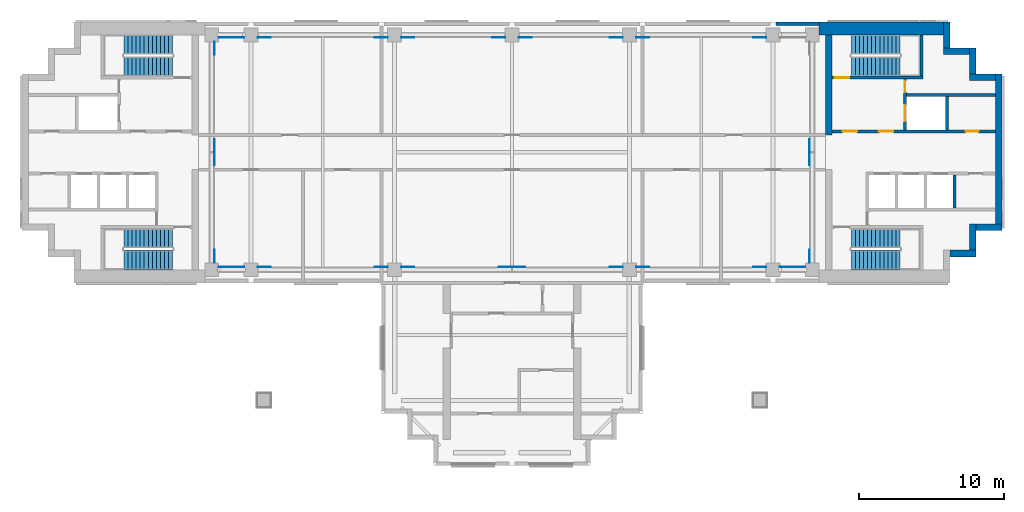
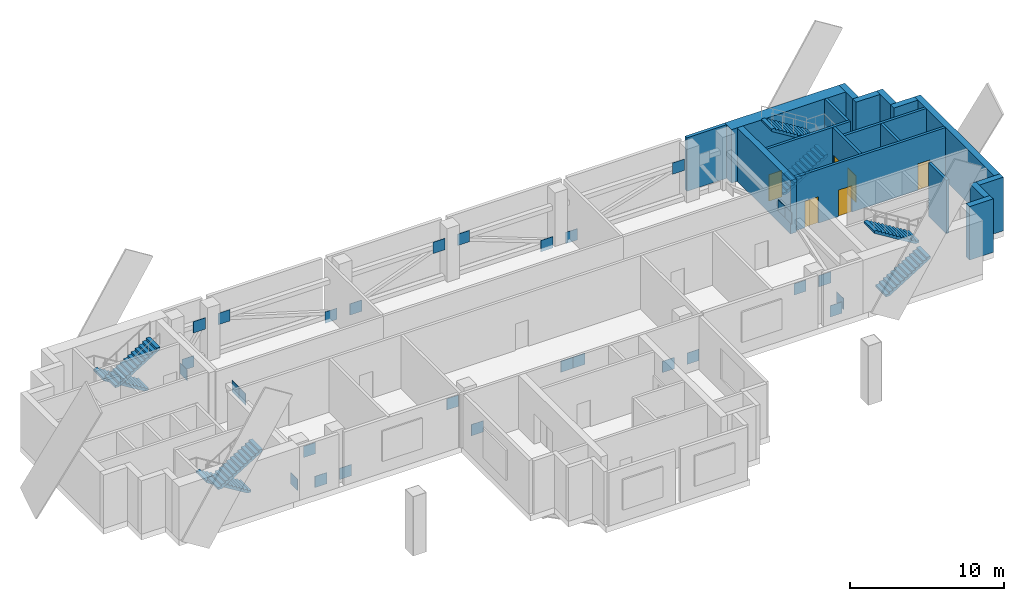
# One storey, part 5 of 8: 29 discrete accessories, 18 walls, 8 stair flights, 6 doors, 6 openings, 4 elements without a shape of their own.
"""IFC4 building model written with IfcOpenShell, lengths in metres."""

from ifc_helpers import new_model, si_unit, direction, frame, frame_2d, origin, origin_2d, place, context, subcontext, project, spatial, polyline, rectangle, outline, extrude, material, layer, layer_set, type_object, element, fill, aggregate, save


model = new_model("IFC4")

# Units and contexts
model_context = context("Model", 3, precision=1e-05, world=origin(), true_north=direction((0.0, 1.0)))
body_context = subcontext(model_context, "Body", "Model", "MODEL_VIEW")
ifc_project = project(units=[si_unit("LENGTHUNIT", "METRE"), si_unit("AREAUNIT", "SQUARE_METRE"), si_unit("VOLUMEUNIT", "CUBIC_METRE"), si_unit("PLANEANGLEUNIT", "RADIAN"), si_unit("MASSUNIT", "GRAM", prefix="KILO")], contexts=[model_context])

# Site, building, storey
site_placement = place(None, origin())
site = spatial("IfcSite", under=ifc_project, at=site_placement, CompositionType="ELEMENT")
building_placement = place(site_placement, origin())
building = spatial("IfcBuilding", under=site, at=building_placement, Name="Perihelion Cross Residences", CompositionType="ELEMENT")
storey_placement = place(building_placement, frame((0.0, 0.0, 228.0)))
storey = spatial("IfcBuildingStorey", under=building, at=storey_placement, Name="L57", CompositionType="ELEMENT", Elevation=228.0)

# Walls
ifc_material_1 = material(Name="Concrete C60/75", Category="concrete")
ifc_layer_1 = layer(ifc_material_1, 0.449951171875)
ifc_layer_set_1 = layer_set([ifc_layer_1], Name="Core wall, inner 450")
wall_type_1 = type_object("IfcWallType", Name="Core wall, inner 450", PredefinedType="SHEAR", material=ifc_layer_set_1)
wall_1_placement = place(storey_placement, frame((21.824951171875, 1.199951171875, 0.0), z_axis=(0.0, 0.0, 1.0), x_axis=(0.0, 1.0, 0.0)))
element("IfcWall", 1, at=wall_1_placement, inside=storey, type_object=wall_type_1, Name="East core core wall, inner", PredefinedType="SHEAR", context=body_context, shape_type="SweptSolid", body=[
    extrude(rectangle(XDim=6.900146484375, YDim=0.449951171875, at=frame_2d((3.4501953125, 0.0))), origin(), (0.0, 0.0, 1.0), 4.25),
])
ifc_material_2 = material(Name="Concrete C60/75", Category="concrete")
ifc_layer_2 = layer(ifc_material_2, 0.449951171875)
ifc_layer_set_2 = layer_set([ifc_layer_2], Name="Core wall, outer 450")
wall_type_2 = type_object("IfcWallType", Name="Core wall, outer 450", PredefinedType="SHEAR", material=ifc_layer_set_2)
for number, where, z_axis, x_axis, name in (
    (2, (30.199951171875, -6.97509765625, 0.0), (0.0, 0.0, 1.0), (1.0, 0.0, 0.0), "East core core wall, outer"),
    (3, (31.77490234375, -6.75, 0.0), (0.0, 0.0, 1.0), (0.0, 1.0, 0.0), "East core core wall, outer"),
    (4, (32.0, -5.175048828125, 0.0), (0.0, 0.0, 1.0), (1.0, 0.0, 0.0), "East core core wall, outer"),
):
    element("IfcWall", number, at=place(storey_placement, frame(where, z_axis=z_axis, x_axis=x_axis)), inside=storey, type_object=wall_type_2, Name=name, PredefinedType="SHEAR", context=body_context, shape_type="SweptSolid", body=[
        extrude(rectangle(XDim=1.800048828125, YDim=0.449951171875, at=frame_2d((0.89990234375, 0.0))), origin(), (0.0, 0.0, 1.0), 4.25),
    ])
wall_2_placement = place(storey_placement, frame((33.574951171875, -4.949951171875, 0.0), z_axis=(0.0, 0.0, 1.0), x_axis=(0.0, 1.0, 0.0)))
element("IfcWall", 5, at=wall_2_placement, inside=storey, type_object=wall_type_2, Name="East core core wall, outer", PredefinedType="SHEAR", context=body_context, shape_type="SweptSolid", body=[
    extrude(rectangle(XDim=10.349853515625, YDim=0.449951171875, at=frame_2d((5.1748046875, 0.0))), origin(), (0.0, 0.0, 1.0), 4.25),
])
for number, where, z_axis, x_axis, name in (
    (6, (31.550048828125, 5.175048828125, 0.0), (0.0, 0.0, 1.0), (1.0, 0.0, 0.0), "East core core wall, outer"),
    (7, (31.77490234375, 5.39990234375, 0.0), (0.0, 0.0, 1.0), (0.0, 1.0, 0.0), "East core core wall, outer"),
    (8, (29.75, 6.97509765625, 0.0), (0.0, 0.0, 1.0), (1.0, 0.0, 0.0), "East core core wall, outer"),
    (9, (29.97509765625, 7.199951171875, 0.0), (0.0, 0.0, 1.0), (0.0, 1.0, 0.0), "East core core wall, outer"),
):
    element("IfcWall", number, at=place(storey_placement, frame(where, z_axis=z_axis, x_axis=x_axis)), inside=storey, type_object=wall_type_2, Name=name, PredefinedType="SHEAR", context=body_context, shape_type="SweptSolid", body=[
        extrude(rectangle(XDim=1.800048828125, YDim=0.449951171875, at=frame_2d((0.89990234375, 0.0))), origin(), (0.0, 0.0, 1.0), 4.25),
    ])
ifc_material_3 = material(Name="Concrete C60/75", Category="concrete")
ifc_layer_3 = layer(ifc_material_3, 0.89990234375)
ifc_layer_set_3 = layer_set([ifc_layer_3], Name="Core wall, outer 900")
wall_type_3 = type_object("IfcWallType", Name="Core wall, outer 900", PredefinedType="SHEAR", material=ifc_layer_set_3)
wall_3_placement = place(storey_placement, frame((21.175048828125, 8.550048828125, 0.0), z_axis=(0.0, 0.0, 1.0), x_axis=(1.0, 0.0, 0.0)))
element("IfcWall", 10, at=wall_3_placement, inside=storey, type_object=wall_type_3, Name="East core core wall, outer", PredefinedType="SHEAR", context=body_context, shape_type="SweptSolid", body=[
    extrude(rectangle(XDim=8.574951171875, YDim=0.89990234375, at=frame_2d((4.28759765625, 0.0))), origin(), (0.0, 0.0, 1.0), 4.25),
])
ifc_material_4 = material(Name="Concrete C30/37, bronze-clad", Category="concrete")
ifc_layer_4 = layer(ifc_material_4, 0.25)
ifc_layer_set_4 = layer_set([ifc_layer_4], Name="Louvre bay wall 250")
wall_type_4 = type_object("IfcWallType", Name="Louvre bay wall 250", PredefinedType="SOLIDWALL", material=ifc_layer_set_4)
wall_4_placement = place(storey_placement, frame((21.175048828125, 8.875, 0.0), z_axis=(0.0, 0.0, 1.0), x_axis=(-1.0, 0.0, 0.0)))
element("IfcWall", 11, at=wall_4_placement, inside=storey, type_object=wall_type_4, Name="Wall FW2 L57 east side north bay 1 louvre", PredefinedType="SOLIDWALL", context=body_context, shape_type="SweptSolid", body=[
    extrude(rectangle(XDim=2.97509765625, YDim=0.25, at=frame_2d((1.487548828125, 0.0))), origin(), (0.0, 0.0, 1.0), 4.25),
])

# Wall, openings, doors
ifc_material_5 = material(Name="Concrete C50/60", Category="concrete")
ifc_layer_5 = layer(ifc_material_5, 0.199951171875)
ifc_layer_set_5 = layer_set([ifc_layer_5], Name="Shaft wall 200")
wall_type_5 = type_object("IfcWallType", Name="Shaft wall 200", PredefinedType="SOLIDWALL", material=ifc_layer_set_5)
wall_5_placement = place(storey_placement, frame((22.050048828125, 1.449951171875, 0.0), z_axis=(0.0, 0.0, 1.0), x_axis=(1.0, 0.0, 0.0)))
wall_5 = element("IfcWall", 12, at=wall_5_placement, inside=storey, type_object=wall_type_5, Name="East core shaft wall", PredefinedType="SOLIDWALL", context=body_context, shape_type="SweptSolid", body=[
    extrude(rectangle(XDim=11.300048828125, YDim=0.199951171875, at=frame_2d((5.64990234375, 0.0))), origin(), (0.0, 0.0, 1.0), 4.25),
])
opening_1_placement = place(wall_5_placement, frame((0.75, 0.0, 0.0)))
opening_1 = element("IfcOpeningElement", 13, at=opening_1_placement, cuts=wall_5, Name="Opening L57.C07", PredefinedType="OPENING", context=body_context, shape_type="SweptSolid", body=[
    extrude(rectangle(XDim=1.0, YDim=2.10009765625, at=frame_2d((0.5, 1.050048828125))), frame((0.0, 0.10986328125, 0.0), z_axis=(0.0, -1.0, 0.0), x_axis=(1.0, 0.0, 0.0)), (0.0, 0.0, 1.0), 0.219970703125),
])
opening_2_placement = place(wall_5_placement, frame((3.25, 0.0, 0.0)))
opening_2 = element("IfcOpeningElement", 14, at=opening_2_placement, cuts=wall_5, Name="Opening L57.C09", PredefinedType="OPENING", context=body_context, shape_type="SweptSolid", body=[
    extrude(rectangle(XDim=1.0, YDim=2.10009765625, at=frame_2d((0.5, 1.050048828125))), frame((0.0, 0.10986328125, 0.0), z_axis=(0.0, -1.0, 0.0), x_axis=(1.0, 0.0, 0.0)), (0.0, 0.0, 1.0), 0.219970703125),
])
opening_3_placement = place(wall_5_placement, frame((9.22509765625, 0.0, 0.0)))
opening_3 = element("IfcOpeningElement", 15, at=opening_3_placement, cuts=wall_5, Name="Opening L57.C11", PredefinedType="OPENING", context=body_context, shape_type="SweptSolid", body=[
    extrude(rectangle(XDim=0.89990234375, YDim=2.10009765625, at=frame_2d((0.449951171875, 1.050048828125))), frame((0.0, 0.10986328125, 0.0), z_axis=(0.0, -1.0, 0.0), x_axis=(1.0, 0.0, 0.0)), (0.0, 0.0, 1.0), 0.219970703125),
])
ifc_material_6 = material(Name="Steel, powder coated", Category="steel")
door_type_1 = type_object("IfcDoorType", Name="Lobby door 1000", OperationType="SINGLE_SWING_LEFT", PredefinedType="DOOR", material=ifc_material_6)
door_1_placement = place(opening_1_placement, origin())
door_1 = element("IfcDoor", 16, at=door_1_placement, inside=storey, type_object=door_type_1, Name="East core firefighting lobby door", OperationType="SINGLE_SWING_LEFT", OverallHeight=2.10009765625, OverallWidth=1.0, PredefinedType="DOOR", context=body_context, shape_type="SweptSolid", body=[
    extrude(rectangle(XDim=1.0, YDim=2.10009765625, at=frame_2d((0.5, 1.050048828125))), frame((0.0, 0.02490234375, 0.0), z_axis=(0.0, -1.0, 0.0), x_axis=(1.0, 0.0, 0.0)), (0.0, 0.0, 1.0), 0.050048828125),
])
fill(opening_1, door_1)
door_2_placement = place(opening_2_placement, origin())
door_2 = element("IfcDoor", 17, at=door_2_placement, inside=storey, type_object=door_type_1, Name="East core firefighting lobby door", OperationType="SINGLE_SWING_LEFT", OverallHeight=2.10009765625, OverallWidth=1.0, PredefinedType="DOOR", context=body_context, shape_type="SweptSolid", body=[
    extrude(rectangle(XDim=1.0, YDim=2.10009765625, at=frame_2d((0.5, 1.050048828125))), frame((0.0, 0.02490234375, 0.0), z_axis=(0.0, -1.0, 0.0), x_axis=(1.0, 0.0, 0.0)), (0.0, 0.0, 1.0), 0.050048828125),
])
fill(opening_2, door_2)
ifc_material_7 = material(Name="Steel, powder coated", Category="steel")
door_type_2 = type_object("IfcDoorType", Name="Service room door 900", OperationType="SINGLE_SWING_LEFT", PredefinedType="DOOR", material=ifc_material_7)
door_3_placement = place(opening_3_placement, origin())
door_3 = element("IfcDoor", 18, at=door_3_placement, inside=storey, type_object=door_type_2, Name="East core service room door", OperationType="SINGLE_SWING_LEFT", OverallHeight=2.10009765625, OverallWidth=0.89990234375, PredefinedType="DOOR", context=body_context, shape_type="SweptSolid", body=[
    extrude(rectangle(XDim=0.89990234375, YDim=2.10009765625, at=frame_2d((0.449951171875, 1.050048828125))), frame((0.0, 0.02490234375, 0.0), z_axis=(0.0, -1.0, 0.0), x_axis=(1.0, 0.0, 0.0)), (0.0, 0.0, 1.0), 0.050048828125),
])
fill(opening_3, door_3)

# Wall
wall_6_placement = place(storey_placement, frame((27.199951171875, 3.949951171875, 0.0), z_axis=(0.0, 0.0, 1.0), x_axis=(1.0, 0.0, 0.0)))
element("IfcWall", 19, at=wall_6_placement, inside=storey, type_object=wall_type_5, Name="East core shaft wall", PredefinedType="SOLIDWALL", context=body_context, shape_type="SweptSolid", body=[
    extrude(rectangle(XDim=6.150146484375, YDim=0.199951171875, at=frame_2d((3.0751953125, 0.0))), origin(), (0.0, 0.0, 1.0), 4.25),
])

# Wall, openings, doors
wall_7_placement = place(storey_placement, frame((27.10009765625, 1.550048828125, 0.0), z_axis=(0.0, 0.0, 1.0), x_axis=(0.0, 1.0, 0.0)))
wall_7 = element("IfcWall", 20, at=wall_7_placement, inside=storey, type_object=wall_type_5, Name="East core shaft wall", PredefinedType="SOLIDWALL", context=body_context, shape_type="SweptSolid", body=[
    extrude(rectangle(XDim=3.5, YDim=0.199951171875, at=frame_2d((1.75, 0.0))), origin(), (0.0, 0.0, 1.0), 4.25),
])
opening_4_placement = place(wall_7_placement, frame((0.60009765625, 0.0, 0.0)))
opening_4 = element("IfcOpeningElement", 21, at=opening_4_placement, cuts=wall_7, Name="Opening L57.C02", PredefinedType="OPENING", context=body_context, shape_type="SweptSolid", body=[
    extrude(rectangle(XDim=1.10009765625, YDim=2.10009765625, at=frame_2d((0.550048828125, 1.050048828125))), frame((0.0, 0.10986328125, 0.0), z_axis=(0.0, -1.0, 0.0), x_axis=(1.0, 0.0, 0.0)), (0.0, 0.0, 1.0), 0.219970703125),
])
opening_5_placement = place(wall_7_placement, frame((2.60009765625, 0.0, 0.0)))
opening_5 = element("IfcOpeningElement", 22, at=opening_5_placement, cuts=wall_7, Name="Opening L57.C10", PredefinedType="OPENING", context=body_context, shape_type="SweptSolid", body=[
    extrude(rectangle(XDim=0.800048828125, YDim=2.10009765625, at=frame_2d((0.39990234375, 1.050048828125))), frame((0.0, 0.10986328125, 0.0), z_axis=(0.0, -1.0, 0.0), x_axis=(1.0, 0.0, 0.0)), (0.0, 0.0, 1.0), 0.219970703125),
])
ifc_material_8 = material(Name="Stainless steel", Category="steel")
door_type_3 = type_object("IfcDoorType", Name="Landing door, firefighting lift 1100", OperationType="DOUBLE_DOOR_SLIDING", PredefinedType="DOOR", material=ifc_material_8)
door_4_placement = place(opening_4_placement, origin())
door_4 = element("IfcDoor", 23, at=door_4_placement, inside=storey, type_object=door_type_3, Name="Landing door, East core firefighting and service lift", OperationType="DOUBLE_DOOR_SLIDING", OverallHeight=2.10009765625, OverallWidth=1.10009765625, PredefinedType="DOOR", context=body_context, shape_type="SweptSolid", body=[
    extrude(rectangle(XDim=1.10009765625, YDim=2.10009765625, at=frame_2d((0.550048828125, 1.050048828125))), frame((0.0, 0.02490234375, 0.0), z_axis=(0.0, -1.0, 0.0), x_axis=(1.0, 0.0, 0.0)), (0.0, 0.0, 1.0), 0.050048828125),
])
fill(opening_4, door_4)
ifc_material_9 = material(Name="Steel, powder coated", Category="steel")
door_type_4 = type_object("IfcDoorType", Name="Riser door 800", OperationType="SINGLE_SWING_LEFT", PredefinedType="DOOR", material=ifc_material_9)
door_5_placement = place(opening_5_placement, origin())
door_5 = element("IfcDoor", 24, at=door_5_placement, inside=storey, type_object=door_type_4, Name="East core riser door", OperationType="SINGLE_SWING_LEFT", OverallHeight=2.10009765625, OverallWidth=0.800048828125, PredefinedType="DOOR", context=body_context, shape_type="SweptSolid", body=[
    extrude(rectangle(XDim=0.800048828125, YDim=2.10009765625, at=frame_2d((0.39990234375, 1.050048828125))), frame((0.0, 0.02490234375, 0.0), z_axis=(0.0, -1.0, 0.0), x_axis=(1.0, 0.0, 0.0)), (0.0, 0.0, 1.0), 0.050048828125),
])
fill(opening_5, door_5)

# Walls
for number, where, z_axis, x_axis, name in (
    (25, (30.0, 1.550048828125, 0.0), (0.0, 0.0, 1.0), (0.0, 1.0, 0.0), "East core shaft wall"),
    (26, (30.5, -3.85009765625, 0.0), (0.0, 0.0, 1.0), (0.0, 1.0, 0.0), "East core shaft wall"),
):
    element("IfcWall", number, at=place(storey_placement, frame(where, z_axis=z_axis, x_axis=x_axis)), inside=storey, type_object=wall_type_5, Name=name, PredefinedType="SOLIDWALL", context=body_context, shape_type="SweptSolid", body=[
        extrude(rectangle(XDim=2.300048828125, YDim=0.199951171875, at=frame_2d((1.14990234375, 0.0))), origin(), (0.0, 0.0, 1.0), 4.25),
    ])

# Wall, opening, door
ifc_material_10 = material(Name="Concrete C50/60", Category="concrete")
ifc_layer_6 = layer(ifc_material_10, 0.199951171875)
ifc_layer_set_6 = layer_set([ifc_layer_6], Name="Stair wall 200")
wall_type_6 = type_object("IfcWallType", Name="Stair wall 200", PredefinedType="SOLIDWALL", material=ifc_layer_set_6)
wall_8_placement = place(storey_placement, frame((22.050048828125, 5.14990234375, 0.0), z_axis=(0.0, 0.0, 1.0), x_axis=(1.0, 0.0, 0.0)))
wall_8 = element("IfcWall", 27, at=wall_8_placement, inside=storey, type_object=wall_type_6, Name="East core stair wall", PredefinedType="SOLIDWALL", context=body_context, shape_type="SweptSolid", body=[
    extrude(rectangle(XDim=6.300048828125, YDim=0.199951171875, at=frame_2d((3.14990234375, 0.0))), origin(), (0.0, 0.0, 1.0), 4.25),
])
opening_6_placement = place(wall_8_placement, frame((0.199951171875, 0.0, 0.0)))
opening_6 = element("IfcOpeningElement", 28, at=opening_6_placement, cuts=wall_8, Name="Opening L57.C06", PredefinedType="OPENING", context=body_context, shape_type="SweptSolid", body=[
    extrude(rectangle(XDim=1.0, YDim=2.10009765625, at=frame_2d((0.5, 1.050048828125))), frame((0.0, 0.10986328125, 0.0), z_axis=(0.0, -1.0, 0.0), x_axis=(1.0, 0.0, 0.0)), (0.0, 0.0, 1.0), 0.219970703125),
])
ifc_material_11 = material(Name="Steel, powder coated", Category="steel")
door_type_5 = type_object("IfcDoorType", Name="Stair door 1000", OperationType="SINGLE_SWING_LEFT", PredefinedType="DOOR", material=ifc_material_11)
door_6_placement = place(opening_6_placement, origin())
door_6 = element("IfcDoor", 29, at=door_6_placement, inside=storey, type_object=door_type_5, Name="East core stair door", OperationType="SINGLE_SWING_LEFT", OverallHeight=2.10009765625, OverallWidth=1.0, PredefinedType="DOOR", context=body_context, shape_type="SweptSolid", body=[
    extrude(rectangle(XDim=1.0, YDim=2.10009765625, at=frame_2d((0.5, 1.050048828125))), frame((0.0, 0.02490234375, 0.0), z_axis=(0.0, -1.0, 0.0), x_axis=(1.0, 0.0, 0.0)), (0.0, 0.0, 1.0), 0.050048828125),
])
fill(opening_6, door_6)

# Wall
wall_9_placement = place(storey_placement, frame((28.25, 5.25, 0.0), z_axis=(0.0, 0.0, 1.0), x_axis=(0.0, 1.0, 0.0)))
element("IfcWall", 30, at=wall_9_placement, inside=storey, type_object=wall_type_6, Name="East core stair wall", PredefinedType="SOLIDWALL", context=body_context, shape_type="SweptSolid", body=[
    extrude(rectangle(XDim=2.85009765625, YDim=0.199951171875, at=frame_2d((1.425048828125, 0.0))), origin(), (0.0, 0.0, 1.0), 4.25),
])

# Stair, stair flights
ifc_material_12 = material(Name="Concrete C40/50", Category="concrete")
stair_type = type_object("IfcStairType", Name="Exit stair, half-turn", PredefinedType="HALF_TURN_STAIR", material=ifc_material_12)
stair_1_placement = place(storey_placement, origin())
stair_1 = element("IfcStair", 31, at=stair_1_placement, inside=storey, type_object=stair_type, Name="L57 East core exit stair 1", PredefinedType="HALF_TURN_STAIR")
ifc_material_13 = material(Name="Concrete C40/50", Category="concrete")
stair_flight_type = type_object("IfcStairFlightType", Name="Exit stair flight", PredefinedType="STRAIGHT", material=ifc_material_13)
stair_flight_1_placement = place(storey_placement, frame((23.39990234375, 5.925048828125, 0.0), z_axis=(0.0, 0.0, 1.0), x_axis=(1.0, 0.0, 0.0)))
stair_flight_1 = element("IfcStairFlight", 32, at=stair_flight_1_placement, type_object=stair_flight_type, Name="ST-E1 flight 1", NumberOfRisers=13, NumberOfTreads=12, PredefinedType="STRAIGHT", RiserHeight=0.173076923, TreadLength=0.28, context=body_context, shape_type="SweptSolid", body=[
    extrude(outline(polyline([(0.0, 0.0), (0.0, 0.173095703125), (0.280029296875, 0.173095703125), (0.280029296875, 0.34619140625), (0.56005859375, 0.34619140625), (0.56005859375, 0.519287109375), (0.840087890625, 0.519287109375), (0.840087890625, 0.6923828125), (1.1201171875, 0.6923828125), (1.1201171875, 0.865478515625), (1.39990234375, 0.865478515625), (1.39990234375, 1.03857421875), (1.679931640625, 1.03857421875), (1.679931640625, 1.21142578125), (1.9599609375, 1.21142578125), (1.9599609375, 1.384521484375), (2.239990234375, 1.384521484375), (2.239990234375, 1.5576171875), (2.52001953125, 1.5576171875), (2.52001953125, 1.730712890625), (2.800048828125, 1.730712890625), (2.800048828125, 1.90380859375), (3.080078125, 1.90380859375), (3.080078125, 2.076904296875), (3.360107421875, 2.076904296875), (3.360107421875, 2.25), (3.360107421875, 1.900634765625), (0.28515625, 0.0), (0.0, 0.0)])), frame((0.0, 0.675048828125, 0.0), z_axis=(0.0, -1.0, 0.0), x_axis=(1.0, 0.0, 0.0)), (0.0, 0.0, 1.0), 1.35009765625),
])
stair_flight_2_placement = place(storey_placement, frame((26.760009765625, 7.425048828125, 2.25), z_axis=(0.0, 0.0, 1.0), x_axis=(-1.0, 0.0, 0.0)))
stair_flight_2 = element("IfcStairFlight", 33, at=stair_flight_2_placement, type_object=stair_flight_type, Name="ST-E1 flight 2", NumberOfRisers=13, NumberOfTreads=12, PredefinedType="STRAIGHT", RiserHeight=0.173076923, TreadLength=0.28, context=body_context, shape_type="SweptSolid", body=[
    extrude(outline(polyline([(0.0, 0.0), (0.0, 0.173095703125), (0.280029296875, 0.173095703125), (0.280029296875, 0.34619140625), (0.56005859375, 0.34619140625), (0.56005859375, 0.519287109375), (0.840087890625, 0.519287109375), (0.840087890625, 0.6923828125), (1.1201171875, 0.6923828125), (1.1201171875, 0.865478515625), (1.39990234375, 0.865478515625), (1.39990234375, 1.03857421875), (1.679931640625, 1.03857421875), (1.679931640625, 1.21142578125), (1.9599609375, 1.21142578125), (1.9599609375, 1.384521484375), (2.239990234375, 1.384521484375), (2.239990234375, 1.5576171875), (2.52001953125, 1.5576171875), (2.52001953125, 1.730712890625), (2.800048828125, 1.730712890625), (2.800048828125, 1.90380859375), (3.080078125, 1.90380859375), (3.080078125, 2.076904296875), (3.360107421875, 2.076904296875), (3.360107421875, 2.25), (3.360107421875, 1.900634765625), (0.28515625, 0.0), (0.0, 0.0)])), frame((0.0, 0.675048828125, 0.0), z_axis=(0.0, -1.0, 0.0), x_axis=(1.0, 0.0, 0.0)), (0.0, 0.0, 1.0), 1.35009765625),
])
aggregate(stair_1, [stair_flight_1, stair_flight_2])

stair_2_placement = place(storey_placement, origin())
stair_2 = element("IfcStair", 34, at=stair_2_placement, inside=storey, type_object=stair_type, Name="L57 East core exit stair 2", PredefinedType="HALF_TURN_STAIR")
stair_flight_3_placement = place(storey_placement, frame((23.39990234375, -7.425048828125, 0.0), z_axis=(0.0, 0.0, 1.0), x_axis=(1.0, 0.0, 0.0)))
stair_flight_3 = element("IfcStairFlight", 35, at=stair_flight_3_placement, type_object=stair_flight_type, Name="ST-E2 flight 1", NumberOfRisers=13, NumberOfTreads=12, PredefinedType="STRAIGHT", RiserHeight=0.173076923, TreadLength=0.28, context=body_context, shape_type="SweptSolid", body=[
    extrude(outline(polyline([(0.0, 0.0), (0.0, 0.173095703125), (0.280029296875, 0.173095703125), (0.280029296875, 0.34619140625), (0.56005859375, 0.34619140625), (0.56005859375, 0.519287109375), (0.840087890625, 0.519287109375), (0.840087890625, 0.6923828125), (1.1201171875, 0.6923828125), (1.1201171875, 0.865478515625), (1.39990234375, 0.865478515625), (1.39990234375, 1.03857421875), (1.679931640625, 1.03857421875), (1.679931640625, 1.21142578125), (1.9599609375, 1.21142578125), (1.9599609375, 1.384521484375), (2.239990234375, 1.384521484375), (2.239990234375, 1.5576171875), (2.52001953125, 1.5576171875), (2.52001953125, 1.730712890625), (2.800048828125, 1.730712890625), (2.800048828125, 1.90380859375), (3.080078125, 1.90380859375), (3.080078125, 2.076904296875), (3.360107421875, 2.076904296875), (3.360107421875, 2.25), (3.360107421875, 1.900634765625), (0.28515625, 0.0), (0.0, 0.0)])), frame((0.0, 0.675048828125, 0.0), z_axis=(0.0, -1.0, 0.0), x_axis=(1.0, 0.0, 0.0)), (0.0, 0.0, 1.0), 1.35009765625),
])
stair_flight_4_placement = place(storey_placement, frame((26.760009765625, -5.925048828125, 2.25), z_axis=(0.0, 0.0, 1.0), x_axis=(-1.0, 0.0, 0.0)))
stair_flight_4 = element("IfcStairFlight", 36, at=stair_flight_4_placement, type_object=stair_flight_type, Name="ST-E2 flight 2", NumberOfRisers=13, NumberOfTreads=12, PredefinedType="STRAIGHT", RiserHeight=0.173076923, TreadLength=0.28, context=body_context, shape_type="SweptSolid", body=[
    extrude(outline(polyline([(0.0, 0.0), (0.0, 0.173095703125), (0.280029296875, 0.173095703125), (0.280029296875, 0.34619140625), (0.56005859375, 0.34619140625), (0.56005859375, 0.519287109375), (0.840087890625, 0.519287109375), (0.840087890625, 0.6923828125), (1.1201171875, 0.6923828125), (1.1201171875, 0.865478515625), (1.39990234375, 0.865478515625), (1.39990234375, 1.03857421875), (1.679931640625, 1.03857421875), (1.679931640625, 1.21142578125), (1.9599609375, 1.21142578125), (1.9599609375, 1.384521484375), (2.239990234375, 1.384521484375), (2.239990234375, 1.5576171875), (2.52001953125, 1.5576171875), (2.52001953125, 1.730712890625), (2.800048828125, 1.730712890625), (2.800048828125, 1.90380859375), (3.080078125, 1.90380859375), (3.080078125, 2.076904296875), (3.360107421875, 2.076904296875), (3.360107421875, 2.25), (3.360107421875, 1.900634765625), (0.28515625, 0.0), (0.0, 0.0)])), frame((0.0, 0.675048828125, 0.0), z_axis=(0.0, -1.0, 0.0), x_axis=(1.0, 0.0, 0.0)), (0.0, 0.0, 1.0), 1.35009765625),
])
aggregate(stair_2, [stair_flight_3, stair_flight_4])

stair_3_placement = place(storey_placement, origin())
stair_3 = element("IfcStair", 37, at=stair_3_placement, inside=storey, type_object=stair_type, Name="L57 West core exit stair 1", PredefinedType="HALF_TURN_STAIR")
stair_flight_5_placement = place(storey_placement, frame((-23.39990234375, 7.425048828125, 0.0), z_axis=(0.0, 0.0, 1.0), x_axis=(-1.0, 0.0, 0.0)))
stair_flight_5 = element("IfcStairFlight", 38, at=stair_flight_5_placement, type_object=stair_flight_type, Name="ST-W1 flight 1", NumberOfRisers=13, NumberOfTreads=12, PredefinedType="STRAIGHT", RiserHeight=0.173076923, TreadLength=0.28, context=body_context, shape_type="SweptSolid", body=[
    extrude(outline(polyline([(0.0, 0.0), (0.0, 0.173095703125), (0.280029296875, 0.173095703125), (0.280029296875, 0.34619140625), (0.56005859375, 0.34619140625), (0.56005859375, 0.519287109375), (0.840087890625, 0.519287109375), (0.840087890625, 0.6923828125), (1.1201171875, 0.6923828125), (1.1201171875, 0.865478515625), (1.39990234375, 0.865478515625), (1.39990234375, 1.03857421875), (1.679931640625, 1.03857421875), (1.679931640625, 1.21142578125), (1.9599609375, 1.21142578125), (1.9599609375, 1.384521484375), (2.239990234375, 1.384521484375), (2.239990234375, 1.5576171875), (2.52001953125, 1.5576171875), (2.52001953125, 1.730712890625), (2.800048828125, 1.730712890625), (2.800048828125, 1.90380859375), (3.080078125, 1.90380859375), (3.080078125, 2.076904296875), (3.360107421875, 2.076904296875), (3.360107421875, 2.25), (3.360107421875, 1.900634765625), (0.28515625, 0.0), (0.0, 0.0)])), frame((0.0, 0.675048828125, 0.0), z_axis=(0.0, -1.0, 0.0), x_axis=(1.0, 0.0, 0.0)), (0.0, 0.0, 1.0), 1.35009765625),
])
stair_flight_6_placement = place(storey_placement, frame((-26.760009765625, 5.925048828125, 2.25), z_axis=(0.0, 0.0, 1.0), x_axis=(1.0, 0.0, 0.0)))
stair_flight_6 = element("IfcStairFlight", 39, at=stair_flight_6_placement, type_object=stair_flight_type, Name="ST-W1 flight 2", NumberOfRisers=13, NumberOfTreads=12, PredefinedType="STRAIGHT", RiserHeight=0.173076923, TreadLength=0.28, context=body_context, shape_type="SweptSolid", body=[
    extrude(outline(polyline([(0.0, 0.0), (0.0, 0.173095703125), (0.280029296875, 0.173095703125), (0.280029296875, 0.34619140625), (0.56005859375, 0.34619140625), (0.56005859375, 0.519287109375), (0.840087890625, 0.519287109375), (0.840087890625, 0.6923828125), (1.1201171875, 0.6923828125), (1.1201171875, 0.865478515625), (1.39990234375, 0.865478515625), (1.39990234375, 1.03857421875), (1.679931640625, 1.03857421875), (1.679931640625, 1.21142578125), (1.9599609375, 1.21142578125), (1.9599609375, 1.384521484375), (2.239990234375, 1.384521484375), (2.239990234375, 1.5576171875), (2.52001953125, 1.5576171875), (2.52001953125, 1.730712890625), (2.800048828125, 1.730712890625), (2.800048828125, 1.90380859375), (3.080078125, 1.90380859375), (3.080078125, 2.076904296875), (3.360107421875, 2.076904296875), (3.360107421875, 2.25), (3.360107421875, 1.900634765625), (0.28515625, 0.0), (0.0, 0.0)])), frame((0.0, 0.675048828125, 0.0), z_axis=(0.0, -1.0, 0.0), x_axis=(1.0, 0.0, 0.0)), (0.0, 0.0, 1.0), 1.35009765625),
])
aggregate(stair_3, [stair_flight_5, stair_flight_6])

stair_4_placement = place(storey_placement, origin())
stair_4 = element("IfcStair", 40, at=stair_4_placement, inside=storey, type_object=stair_type, Name="L57 West core exit stair 2", PredefinedType="HALF_TURN_STAIR")
stair_flight_7_placement = place(storey_placement, frame((-23.39990234375, -5.925048828125, 0.0), z_axis=(0.0, 0.0, 1.0), x_axis=(-1.0, 0.0, 0.0)))
stair_flight_7 = element("IfcStairFlight", 41, at=stair_flight_7_placement, type_object=stair_flight_type, Name="ST-W2 flight 1", NumberOfRisers=13, NumberOfTreads=12, PredefinedType="STRAIGHT", RiserHeight=0.173076923, TreadLength=0.28, context=body_context, shape_type="SweptSolid", body=[
    extrude(outline(polyline([(0.0, 0.0), (0.0, 0.173095703125), (0.280029296875, 0.173095703125), (0.280029296875, 0.34619140625), (0.56005859375, 0.34619140625), (0.56005859375, 0.519287109375), (0.840087890625, 0.519287109375), (0.840087890625, 0.6923828125), (1.1201171875, 0.6923828125), (1.1201171875, 0.865478515625), (1.39990234375, 0.865478515625), (1.39990234375, 1.03857421875), (1.679931640625, 1.03857421875), (1.679931640625, 1.21142578125), (1.9599609375, 1.21142578125), (1.9599609375, 1.384521484375), (2.239990234375, 1.384521484375), (2.239990234375, 1.5576171875), (2.52001953125, 1.5576171875), (2.52001953125, 1.730712890625), (2.800048828125, 1.730712890625), (2.800048828125, 1.90380859375), (3.080078125, 1.90380859375), (3.080078125, 2.076904296875), (3.360107421875, 2.076904296875), (3.360107421875, 2.25), (3.360107421875, 1.900634765625), (0.28515625, 0.0), (0.0, 0.0)])), frame((0.0, 0.675048828125, 0.0), z_axis=(0.0, -1.0, 0.0), x_axis=(1.0, 0.0, 0.0)), (0.0, 0.0, 1.0), 1.35009765625),
])
stair_flight_8_placement = place(storey_placement, frame((-26.760009765625, -7.425048828125, 2.25), z_axis=(0.0, 0.0, 1.0), x_axis=(1.0, 0.0, 0.0)))
stair_flight_8 = element("IfcStairFlight", 42, at=stair_flight_8_placement, type_object=stair_flight_type, Name="ST-W2 flight 2", NumberOfRisers=13, NumberOfTreads=12, PredefinedType="STRAIGHT", RiserHeight=0.173076923, TreadLength=0.28, context=body_context, shape_type="SweptSolid", body=[
    extrude(outline(polyline([(0.0, 0.0), (0.0, 0.173095703125), (0.280029296875, 0.173095703125), (0.280029296875, 0.34619140625), (0.56005859375, 0.34619140625), (0.56005859375, 0.519287109375), (0.840087890625, 0.519287109375), (0.840087890625, 0.6923828125), (1.1201171875, 0.6923828125), (1.1201171875, 0.865478515625), (1.39990234375, 0.865478515625), (1.39990234375, 1.03857421875), (1.679931640625, 1.03857421875), (1.679931640625, 1.21142578125), (1.9599609375, 1.21142578125), (1.9599609375, 1.384521484375), (2.239990234375, 1.384521484375), (2.239990234375, 1.5576171875), (2.52001953125, 1.5576171875), (2.52001953125, 1.730712890625), (2.800048828125, 1.730712890625), (2.800048828125, 1.90380859375), (3.080078125, 1.90380859375), (3.080078125, 2.076904296875), (3.360107421875, 2.076904296875), (3.360107421875, 2.25), (3.360107421875, 1.900634765625), (0.28515625, 0.0), (0.0, 0.0)])), frame((0.0, 0.675048828125, 0.0), z_axis=(0.0, -1.0, 0.0), x_axis=(1.0, 0.0, 0.0)), (0.0, 0.0, 1.0), 1.35009765625),
])
aggregate(stair_4, [stair_flight_7, stair_flight_8])

# Discrete accessories
ifc_material_14 = material(Name="Steel S355", Category="steel")
discrete_accessory_type = type_object("IfcDiscreteAccessoryType", Name="Gusset plate 900 x 900 x 30, steel S355", PredefinedType="BRACKET", material=ifc_material_14)
for number, where, z_axis, x_axis, name in (
    (43, (9.02490234375, 7.906982421875, -0.27197265625), (0.0, 0.0, 1.0), (1.0, 0.0, 0.0), "Gusset plate 900 x 900 x 30"),
    (44, (17.074951171875, 7.906982421875, 2.422119140625), (0.0, 0.0, 1.0), (-1.0, 0.0, 0.0), "Gusset plate 900 x 900 x 30"),
    (45, (7.175048828125, 7.906982421875, -0.27197265625), (0.0, 0.0, 1.0), (-1.0, 0.0, 0.0), "Gusset plate 900 x 900 x 30"),
    (46, (0.925048828125, 7.906982421875, 2.422119140625), (0.0, 0.0, 1.0), (1.0, 0.0, 0.0), "Gusset plate 900 x 900 x 30"),
    (47, (-7.175048828125, 7.906982421875, -0.27197265625), (0.0, 0.0, 1.0), (1.0, 0.0, 0.0), "Gusset plate 900 x 900 x 30"),
    (48, (-0.925048828125, 7.906982421875, 2.422119140625), (0.0, 0.0, 1.0), (-1.0, 0.0, 0.0), "Gusset plate 900 x 900 x 30"),
    (49, (-9.02490234375, 7.906982421875, -0.27197265625), (0.0, 0.0, 1.0), (-1.0, 0.0, 0.0), "Gusset plate 900 x 900 x 30"),
    (50, (-17.074951171875, 7.906982421875, 2.422119140625), (0.0, 0.0, 1.0), (1.0, 0.0, 0.0), "Gusset plate 900 x 900 x 30"),
    (51, (-19.77490234375, 7.906982421875, -0.27197265625), (0.0, 0.0, 1.0), (1.0, 0.0, 0.0), "Gusset plate 900 x 900 x 30"),
    (52, (-18.925048828125, 7.906982421875, 2.422119140625), (0.0, 0.0, 1.0), (-1.0, 0.0, 0.0), "Gusset plate 900 x 900 x 30"),
    (53, (-20.507080078125, 0.449951171875, 2.422119140625), (0.0, 0.0, 1.0), (0.0, 1.0, 0.0), "Gusset plate 900 x 900 x 30"),
    (54, (-20.507080078125, -0.449951171875, 2.422119140625), (0.0, 0.0, 1.0), (0.0, -1.0, 0.0), "Gusset plate 900 x 900 x 30"),
    (55, (-20.507080078125, 7.175048828125, -0.27197265625), (0.0, 0.0, 1.0), (0.0, -1.0, 0.0), "Gusset plate 900 x 900 x 30"),
    (56, (-20.507080078125, -7.175048828125, -0.27197265625), (0.0, 0.0, 1.0), (0.0, 1.0, 0.0), "Gusset plate 900 x 900 x 30"),
    (57, (-18.925048828125, -7.906982421875, -0.27197265625), (0.0, 0.0, 1.0), (-1.0, 0.0, 0.0), "Gusset plate 900 x 900 x 30"),
    (58, (-19.77490234375, -7.906982421875, 2.422119140625), (0.0, 0.0, 1.0), (1.0, 0.0, 0.0), "Gusset plate 900 x 900 x 30"),
    (59, (-17.074951171875, -7.906982421875, -0.27197265625), (0.0, 0.0, 1.0), (1.0, 0.0, 0.0), "Gusset plate 900 x 900 x 30"),
    (60, (-9.02490234375, -7.906982421875, 2.422119140625), (0.0, 0.0, 1.0), (-1.0, 0.0, 0.0), "Gusset plate 900 x 900 x 30"),
    (61, (-0.449951171875, -7.906982421875, 2.422119140625), (0.0, 0.0, 1.0), (-1.0, 0.0, 0.0), "Gusset plate 900 x 900 x 30"),
    (62, (0.449951171875, -7.906982421875, 2.422119140625), (0.0, 0.0, 1.0), (1.0, 0.0, 0.0), "Gusset plate 900 x 900 x 30"),
    (63, (-7.175048828125, -7.906982421875, -0.27197265625), (0.0, 0.0, 1.0), (1.0, 0.0, 0.0), "Gusset plate 900 x 900 x 30"),
    (64, (7.175048828125, -7.906982421875, -0.27197265625), (0.0, 0.0, 1.0), (-1.0, 0.0, 0.0), "Gusset plate 900 x 900 x 30"),
    (65, (9.02490234375, -7.906982421875, -0.27197265625), (0.0, 0.0, 1.0), (1.0, 0.0, 0.0), "Gusset plate 900 x 900 x 30"),
    (66, (17.074951171875, -7.906982421875, 2.422119140625), (0.0, 0.0, 1.0), (-1.0, 0.0, 0.0), "Gusset plate 900 x 900 x 30"),
    (67, (19.77490234375, -7.906982421875, -0.27197265625), (0.0, 0.0, 1.0), (-1.0, 0.0, 0.0), "Gusset plate 900 x 900 x 30"),
    (68, (18.925048828125, -7.906982421875, 2.422119140625), (0.0, 0.0, 1.0), (1.0, 0.0, 0.0), "Gusset plate 900 x 900 x 30"),
    (69, (20.507080078125, -0.449951171875, 2.422119140625), (0.0, 0.0, 1.0), (0.0, -1.0, 0.0), "Gusset plate 900 x 900 x 30"),
    (70, (20.507080078125, 0.449951171875, 2.422119140625), (0.0, 0.0, 1.0), (0.0, 1.0, 0.0), "Gusset plate 900 x 900 x 30"),
    (71, (20.507080078125, -7.175048828125, -0.27197265625), (0.0, 0.0, 1.0), (0.0, 1.0, 0.0), "Gusset plate 900 x 900 x 30"),
):
    element("IfcDiscreteAccessory", number, at=place(storey_placement, frame(where, z_axis=z_axis, x_axis=x_axis)), inside=storey, type_object=discrete_accessory_type, Name=name, PredefinedType="BRACKET", context=body_context, shape_type="SweptSolid", body=[
        extrude(rectangle(XDim=0.89990234375, YDim=0.030029296875, at=origin_2d()), origin(), (0.0, 0.0, 1.0), 0.89990234375),
    ])

save(model, "model.ifc")
